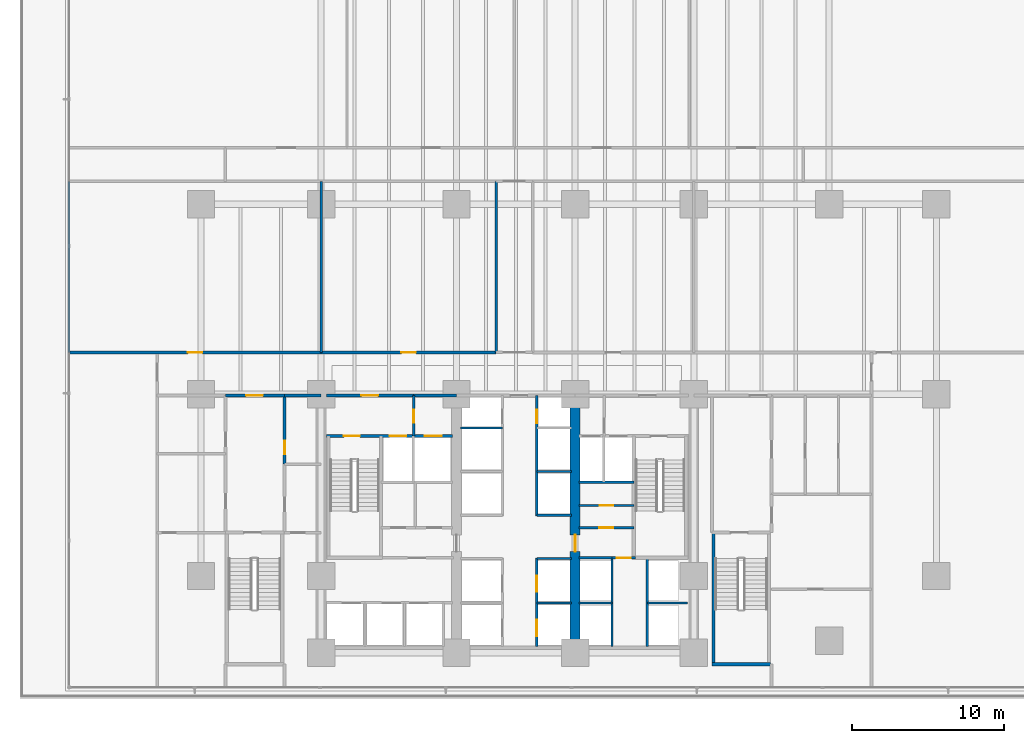
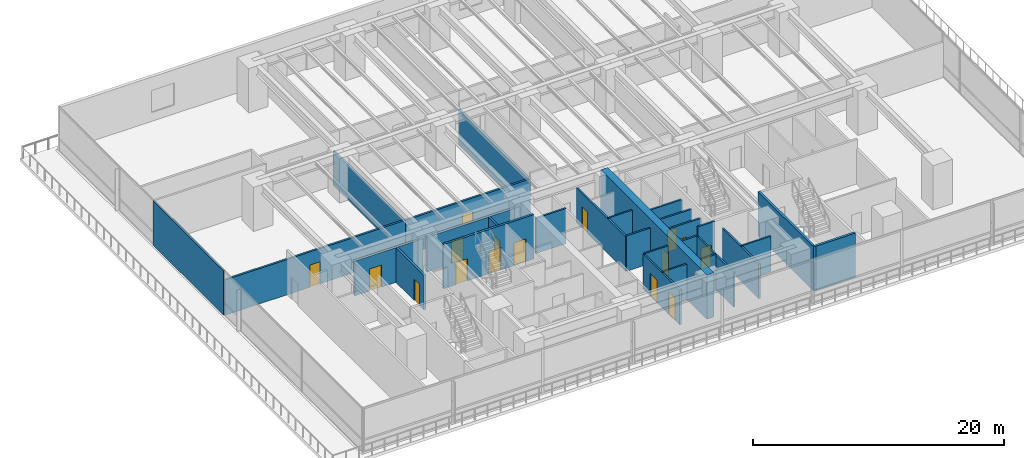
# One storey, part 10 of 24: 31 walls, 16 doors, 16 openings.
"""IFC4 building model written with IfcOpenShell, lengths in metres."""

from ifc_helpers import new_model, si_unit, direction, frame, frame_2d, origin, place, context, subcontext, project, spatial, rectangle, extrude, material, layer, layer_set, type_object, element, fill, save


model = new_model("IFC4")

# Units and contexts
model_context = context("Model", 3, precision=1e-05, world=origin(), true_north=direction((0.0, 1.0)))
body_context = subcontext(model_context, "Body", "Model", "MODEL_VIEW")
ifc_project = project(units=[si_unit("LENGTHUNIT", "METRE"), si_unit("AREAUNIT", "SQUARE_METRE"), si_unit("VOLUMEUNIT", "CUBIC_METRE"), si_unit("PLANEANGLEUNIT", "RADIAN"), si_unit("MASSUNIT", "GRAM", prefix="KILO")], contexts=[model_context])

# Site, building, storey
site_placement = place(None, origin())
site = spatial("IfcSite", under=ifc_project, at=site_placement, CompositionType="ELEMENT")
building_placement = place(site_placement, origin())
building = spatial("IfcBuilding", under=site, at=building_placement, Name="Qalmaran Belvedere Hotel", CompositionType="ELEMENT")
storey_placement = place(building_placement, frame((0.0, 0.0, 14.60009765625)))
storey = spatial("IfcBuildingStorey", under=building, at=storey_placement, Name="L03", CompositionType="ELEMENT", Elevation=14.60009765625)

# Wall, opening, door
ifc_material_1 = material(Name="Concrete C60/75", Category="concrete")
ifc_layer_1 = layer(ifc_material_1, 0.64990234375, Name="Concrete C60/75")
ifc_layer_set_1 = layer_set([ifc_layer_1], Name="Concrete C60/75")
wall_type_1 = type_object("IfcWallType", Name="WL-CORE-650-C60", PredefinedType="SHEAR", material=ifc_layer_set_1)
wall_1_placement = place(storey_placement, frame((37.0, 3.5, 0.0), z_axis=(0.0, 0.0, 1.0), x_axis=(0.0, 1.0, 0.0)))
wall_1 = element("IfcWall", 1, at=wall_1_placement, inside=storey, type_object=wall_type_1, Name="L03 Core East Spine Shear Wall", PredefinedType="SHEAR", context=body_context, shape_type="SweptSolid", body=[
    extrude(rectangle(XDim=16.89990234375, YDim=0.64990234375, at=frame_2d((8.449951171875, 0.0))), origin(), (0.0, 0.0, 1.0), 4.2998046875),
])
opening_1_placement = place(wall_1_placement, frame((6.64990234375, 0.0, 0.0)))
opening_1 = element("IfcOpeningElement", 2, at=opening_1_placement, cuts=wall_1, Name="Opening FD90", PredefinedType="OPENING", context=body_context, shape_type="SweptSolid", body=[
    extrude(rectangle(XDim=1.10009765625, YDim=2.14990234375, at=frame_2d((0.550048828125, 1.074951171875))), frame((0.0, 0.3349609375, 0.0), z_axis=(0.0, -1.0, 0.0), x_axis=(1.0, 0.0, 0.0)), (0.0, 0.0, 1.0), 0.669921875),
])
ifc_material_2 = material(Name="Steel S355JR", Category="steel")
door_type_1 = type_object("IfcDoorType", Name="DR-FD90-1100X2150", OperationType="NOTDEFINED", PredefinedType="DOOR", material=ifc_material_2)
door_1_placement = place(opening_1_placement, origin())
door_1 = element("IfcDoor", 3, at=door_1_placement, inside=storey, type_object=door_type_1, Name="L03 Core East Cross-Lobby Door", OperationType="SINGLE_SWING_LEFT", OverallHeight=2.14990234375, OverallWidth=1.10009765625, PredefinedType="DOOR", context=body_context, shape_type="SweptSolid", body=[
    extrude(rectangle(XDim=1.10009765625, YDim=2.14990234375, at=frame_2d((0.550048828125, 1.074951171875))), frame((0.0, 0.02490234375, 0.0), z_axis=(0.0, -1.0, 0.0), x_axis=(1.0, 0.0, 0.0)), (0.0, 0.0, 1.0), 0.050048828125),
])
fill(opening_1, door_1)

# Walls
ifc_material_3 = material(Name="Gypsum Stud Partition")
ifc_layer_2 = layer(ifc_material_3, 0.14990234375, Name="Gypsum Stud Partition")
ifc_layer_set_2 = layer_set([ifc_layer_2], Name="Gypsum Stud Partition")
wall_type_2 = type_object("IfcWallType", Name="WL-INT-150-EI120", PredefinedType="PARTITIONING", material=ifc_layer_set_2)
wall_2_placement = place(storey_placement, frame((37.25, 6.780029296875, 0.0), z_axis=(0.0, 0.0, 1.0), x_axis=(1.0, 0.0, 0.0)))
element("IfcWall", 4, at=wall_2_placement, inside=storey, type_object=wall_type_2, Name="L03 Partition WL-PHMW-L03", PredefinedType="PARTITIONING", context=body_context, shape_type="SweptSolid", body=[
    extrude(rectangle(XDim=2.169921875, YDim=0.14990234375, at=frame_2d((1.0849609375, 0.0))), origin(), (0.0, 0.0, 1.0), 3.429931640625),
])
wall_3_placement = place(storey_placement, frame((41.739990234375, 6.780029296875, 0.0), z_axis=(0.0, 0.0, 1.0), x_axis=(1.0, 0.0, 0.0)))
element("IfcWall", 5, at=wall_3_placement, inside=storey, type_object=wall_type_2, Name="L03 Partition WL-PHME-L03", PredefinedType="PARTITIONING", context=body_context, shape_type="SweptSolid", body=[
    extrude(rectangle(XDim=2.659912109375, YDim=0.14990234375, at=frame_2d((1.330078125, 0.0))), origin(), (0.0, 0.0, 1.0), 3.429931640625),
])
for number, where, z_axis, x_axis, name in (
    (6, (34.47998046875, 6.780029296875, 0.0), (0.0, 0.0, 1.0), (1.0, 0.0, 0.0), "L03 Partition WL-PLE-L03-67"),
    (7, (34.47998046875, 9.699951171875, 0.0), (0.0, 0.0, 1.0), (1.0, 0.0, 0.0), "L03 Partition WL-PLE-L03-97"),
    (8, (34.47998046875, 12.550048828125, 0.0), (0.0, 0.0, 1.0), (1.0, 0.0, 0.0), "L03 Partition WL-PME-L03-125"),
    (9, (34.47998046875, 15.419921875, 0.0), (0.0, 0.0, 1.0), (1.0, 0.0, 0.0), "L03 Partition WL-PME-L03-154"),
):
    element("IfcWall", number, at=place(storey_placement, frame(where, z_axis=z_axis, x_axis=x_axis)), inside=storey, type_object=wall_type_2, Name=name, PredefinedType="PARTITIONING", context=body_context, shape_type="SweptSolid", body=[
        extrude(rectangle(XDim=2.27001953125, YDim=0.14990234375, at=frame_2d((1.135009765625, 0.0))), origin(), (0.0, 0.0, 1.0), 3.429931640625),
    ])
wall_4_placement = place(storey_placement, frame((29.449951171875, 18.280029296875, 0.0), z_axis=(0.0, 0.0, 1.0), x_axis=(1.0, 0.0, 0.0)))
element("IfcWall", 10, at=wall_4_placement, inside=storey, type_object=wall_type_2, Name="L03 Partition WL-PMW-L03-182", PredefinedType="PARTITIONING", context=body_context, shape_type="SweptSolid", body=[
    extrude(rectangle(XDim=2.77001953125, YDim=0.14990234375, at=frame_2d((1.385009765625, 0.0))), origin(), (0.0, 0.0, 1.0), 3.429931640625),
])

# Wall, opening, door
ifc_layer_3 = layer(ifc_material_3, 0.14990234375, Name="Gypsum Stud Partition")
ifc_layer_set_3 = layer_set([ifc_layer_3], Name="Gypsum Stud Partition")
wall_type_3 = type_object("IfcWallType", Name="WL-INT-150-EI60", PredefinedType="PARTITIONING", material=ifc_layer_set_3)
wall_5_placement = place(storey_placement, frame((37.25, 13.18505859375, 0.0), z_axis=(0.0, 0.0, 1.0), x_axis=(1.0, 0.0, 0.0)))
wall_5 = element("IfcWall", 11, at=wall_5_placement, inside=storey, type_object=wall_type_3, Name="L03 Partition WL-L03-KEHM", PredefinedType="PARTITIONING", context=body_context, shape_type="SweptSolid", body=[
    extrude(rectangle(XDim=3.610107421875, YDim=0.14990234375, at=frame_2d((1.80517578125, 0.0))), origin(), (0.0, 0.0, 1.0), 3.429931640625),
])
opening_2_placement = place(wall_5_placement, frame((1.364990234375, 0.0, 0.0)))
opening_2 = element("IfcOpeningElement", 12, at=opening_2_placement, cuts=wall_5, Name="Opening FD60B", PredefinedType="OPENING", context=body_context, shape_type="SweptSolid", body=[
    extrude(rectangle(XDim=0.8798828125, YDim=2.080078125, at=frame_2d((0.43994140625, 1.0400390625))), frame((0.0, 0.0849609375, 0.0), z_axis=(0.0, -1.0, 0.0), x_axis=(1.0, 0.0, 0.0)), (0.0, 0.0, 1.0), 0.169921875),
])
door_type_2 = type_object("IfcDoorType", Name="DR-FD60B-880X2080", OperationType="NOTDEFINED", PredefinedType="DOOR", material=ifc_material_2)
door_2_placement = place(opening_2_placement, origin())
door_2 = element("IfcDoor", 13, at=door_2_placement, inside=storey, type_object=door_type_2, Name="L03 Hotel Linen Closet Door", OperationType="SINGLE_SWING_RIGHT", OverallHeight=2.080078125, OverallWidth=0.8798828125, PredefinedType="DOOR", context=body_context, shape_type="SweptSolid", body=[
    extrude(rectangle(XDim=0.8798828125, YDim=2.080078125, at=frame_2d((0.43994140625, 1.0400390625))), frame((0.0, 0.02490234375, 0.0), z_axis=(0.0, -1.0, 0.0), x_axis=(1.0, 0.0, 0.0)), (0.0, 0.0, 1.0), 0.050048828125),
])
fill(opening_2, door_2)

ifc_layer_4 = layer(ifc_material_3, 0.159912109375, Name="Gypsum Stud Partition")
ifc_layer_set_4 = layer_set([ifc_layer_4], Name="Gypsum Stud Partition")
wall_type_4 = type_object("IfcWallType", Name="WL-INT-160-EI120", PredefinedType="PARTITIONING", material=ifc_layer_set_4)
wall_6_placement = place(storey_placement, frame((26.3798828125, 17.760009765625, 0.0), z_axis=(0.0, 0.0, 1.0), x_axis=(0.0, 1.0, 0.0)))
wall_6 = element("IfcWall", 14, at=wall_6_placement, inside=storey, type_object=wall_type_4, Name="L03 Partition WL-FFSV1-L03", PredefinedType="PARTITIONING", context=body_context, shape_type="SweptSolid", body=[
    extrude(rectangle(XDim=2.659912109375, YDim=0.159912109375, at=frame_2d((1.330078125, 0.0))), origin(), (0.0, 0.0, 1.0), 3.372802734375),
])
opening_3_placement = place(wall_6_placement, frame((0.85009765625, 0.0, 0.0)))
opening_3 = element("IfcOpeningElement", 15, at=opening_3_placement, cuts=wall_6, Name="Opening FD60B", PredefinedType="OPENING", context=body_context, shape_type="SweptSolid", body=[
    extrude(rectangle(XDim=0.8798828125, YDim=2.080078125, at=frame_2d((0.43994140625, 1.0400390625))), frame((0.0, 0.08984375, 0.0), z_axis=(0.0, -1.0, 0.0), x_axis=(1.0, 0.0, 0.0)), (0.0, 0.0, 1.0), 0.179931640625),
])
door_3_placement = place(opening_3_placement, origin())
door_3 = element("IfcDoor", 16, at=door_3_placement, inside=storey, type_object=door_type_2, Name="L03 Service Lobby West Door", OperationType="SINGLE_SWING_RIGHT", OverallHeight=2.080078125, OverallWidth=0.8798828125, PredefinedType="DOOR", context=body_context, shape_type="SweptSolid", body=[
    extrude(rectangle(XDim=0.8798828125, YDim=2.080078125, at=frame_2d((0.43994140625, 1.0400390625))), frame((0.0, 0.02490234375, 0.0), z_axis=(0.0, -1.0, 0.0), x_axis=(1.0, 0.0, 0.0)), (0.0, 0.0, 1.0), 0.050048828125),
])
fill(opening_3, door_3)

# Walls
wall_7_placement = place(storey_placement, frame((37.25, 14.719970703125, 0.0), z_axis=(0.0, 0.0, 1.0), x_axis=(1.0, 0.0, 0.0)))
element("IfcWall", 17, at=wall_7_placement, inside=storey, type_object=wall_type_4, Name="L03 Partition WL-FF2S-L03", PredefinedType="PARTITIONING", context=body_context, shape_type="SweptSolid", body=[
    extrude(rectangle(XDim=3.610107421875, YDim=0.159912109375, at=frame_2d((1.80517578125, 0.0))), origin(), (0.0, 0.0, 1.0), 3.429931640625),
])
for number, where, z_axis, x_axis, name in (
    (18, (39.419921875, 3.89990234375, 0.0), (0.0, 0.0, 1.0), (0.0, 1.0, 0.0), "L03 Partition WL-PHW-L03"),
    (19, (41.739990234375, 3.89990234375, 0.0), (0.0, 0.0, 1.0), (0.0, 1.0, 0.0), "L03 Partition WL-PHE-L03"),
):
    element("IfcWall", number, at=place(storey_placement, frame(where, z_axis=z_axis, x_axis=x_axis)), inside=storey, type_object=wall_type_4, Name=name, PredefinedType="PARTITIONING", context=body_context, shape_type="SweptSolid", body=[
        extrude(rectangle(XDim=5.840087890625, YDim=0.159912109375, at=frame_2d((2.919921875, 0.0))), origin(), (0.0, 0.0, 1.0), 3.372802734375),
    ])
wall_8_placement = place(storey_placement, frame((37.25, 9.739990234375, 0.0), z_axis=(0.0, 0.0, 1.0), x_axis=(1.0, 0.0, 0.0)))
element("IfcWall", 20, at=wall_8_placement, inside=storey, type_object=wall_type_4, Name="L03 Partition WL-PHNW-L03", PredefinedType="PARTITIONING", context=body_context, shape_type="SweptSolid", body=[
    extrude(rectangle(XDim=2.169921875, YDim=0.159912109375, at=frame_2d((1.0849609375, 0.0))), origin(), (0.0, 0.0, 1.0), 3.429931640625),
])

# Wall, opening, door
wall_9_placement = place(storey_placement, frame((39.419921875, 9.739990234375, 0.0), z_axis=(0.0, 0.0, 1.0), x_axis=(1.0, 0.0, 0.0)))
wall_9 = element("IfcWall", 21, at=wall_9_placement, inside=storey, type_object=wall_type_4, Name="L03 Partition WL-PHNL-L03", PredefinedType="PARTITIONING", context=body_context, shape_type="SweptSolid", body=[
    extrude(rectangle(XDim=1.56005859375, YDim=0.159912109375, at=frame_2d((0.780029296875, 0.0))), origin(), (0.0, 0.0, 1.0), 4.2998046875),
])
opening_4_placement = place(wall_9_placement, frame((0.300048828125, 0.0, 0.0)))
opening_4 = element("IfcOpeningElement", 22, at=opening_4_placement, cuts=wall_9, Name="Opening FD60S1", PredefinedType="OPENING", context=body_context, shape_type="SweptSolid", body=[
    extrude(rectangle(XDim=0.919921875, YDim=2.080078125, at=frame_2d((0.4599609375, 1.0400390625))), frame((0.0, 0.08984375, 0.0), z_axis=(0.0, -1.0, 0.0), x_axis=(1.0, 0.0, 0.0)), (0.0, 0.0, 1.0), 0.179931640625),
])
ifc_material_4 = material(Name="Engineered Oak Veneer")
door_type_3 = type_object("IfcDoorType", Name="DR-FD60S-920X2080", OperationType="NOTDEFINED", PredefinedType="DOOR", material=ifc_material_4)
door_4_placement = place(opening_4_placement, origin())
door_4 = element("IfcDoor", 23, at=door_4_placement, inside=storey, type_object=door_type_3, Name="L03 High-Rise Lift Lobby Passage Door", OperationType="SINGLE_SWING_RIGHT", OverallHeight=2.080078125, OverallWidth=0.919921875, PredefinedType="DOOR", context=body_context, shape_type="SweptSolid", body=[
    extrude(rectangle(XDim=0.919921875, YDim=2.080078125, at=frame_2d((0.4599609375, 1.0400390625))), frame((0.0, 0.02490234375, 0.0), z_axis=(0.0, -1.0, 0.0), x_axis=(1.0, 0.0, 0.0)), (0.0, 0.0, 1.0), 0.050048828125),
])
fill(opening_4, door_4)

# Wall, openings, doors
wall_10_placement = place(storey_placement, frame((34.47998046875, 3.89990234375, 0.0), z_axis=(0.0, 0.0, 1.0), x_axis=(0.0, 1.0, 0.0)))
wall_10 = element("IfcWall", 24, at=wall_10_placement, inside=storey, type_object=wall_type_4, Name="L03 Partition WL-CLBES-L03", PredefinedType="PARTITIONING", context=body_context, shape_type="SweptSolid", body=[
    extrude(rectangle(XDim=5.840087890625, YDim=0.159912109375, at=frame_2d((2.919921875, 0.0))), origin(), (0.0, 0.0, 1.0), 3.372802734375),
])
opening_5_placement = place(wall_10_placement, frame((0.699951171875, 0.0, 0.0)))
opening_5 = element("IfcOpeningElement", 25, at=opening_5_placement, cuts=wall_10, Name="Opening LD-P1", PredefinedType="OPENING", context=body_context, shape_type="SweptSolid", body=[
    extrude(rectangle(XDim=1.080078125, YDim=2.159912109375, at=frame_2d((0.5400390625, 1.080078125))), frame((0.0, 0.08984375, 0.0), z_axis=(0.0, -1.0, 0.0), x_axis=(1.0, 0.0, 0.0)), (0.0, 0.0, 1.0), 0.179931640625),
])
opening_6_placement = place(wall_10_placement, frame((3.60009765625, 0.0, 0.0)))
opening_6 = element("IfcOpeningElement", 26, at=opening_6_placement, cuts=wall_10, Name="Opening LD-P1", PredefinedType="OPENING", context=body_context, shape_type="SweptSolid", body=[
    extrude(rectangle(XDim=1.080078125, YDim=2.159912109375, at=frame_2d((0.5400390625, 1.080078125))), frame((0.0, 0.08984375, 0.0), z_axis=(0.0, -1.0, 0.0), x_axis=(1.0, 0.0, 0.0)), (0.0, 0.0, 1.0), 0.179931640625),
])
ifc_material_5 = material(Name="Stainless Steel 1.4401", Category="steel")
door_type_4 = type_object("IfcDoorType", Name="DR-LIFT-P1-1080X2160", OperationType="DOUBLE_DOOR_SLIDING", PredefinedType="DOOR", material=ifc_material_5)
door_5_placement = place(opening_5_placement, origin())
door_5 = element("IfcDoor", 27, at=door_5_placement, inside=storey, type_object=door_type_4, Name="L03 PL3 Lift Landing Door", OperationType="DOUBLE_DOOR_SLIDING", OverallHeight=2.159912109375, OverallWidth=1.080078125, PredefinedType="DOOR", context=body_context, shape_type="SweptSolid", body=[
    extrude(rectangle(XDim=1.080078125, YDim=2.159912109375, at=frame_2d((0.5400390625, 1.080078125))), frame((0.0, 0.02490234375, 0.0), z_axis=(0.0, -1.0, 0.0), x_axis=(1.0, 0.0, 0.0)), (0.0, 0.0, 1.0), 0.050048828125),
])
fill(opening_5, door_5)
door_6_placement = place(opening_6_placement, origin())
door_6 = element("IfcDoor", 28, at=door_6_placement, inside=storey, type_object=door_type_4, Name="L03 PL4 Lift Landing Door", OperationType="DOUBLE_DOOR_SLIDING", OverallHeight=2.159912109375, OverallWidth=1.080078125, PredefinedType="DOOR", context=body_context, shape_type="SweptSolid", body=[
    extrude(rectangle(XDim=1.080078125, YDim=2.159912109375, at=frame_2d((0.5400390625, 1.080078125))), frame((0.0, 0.02490234375, 0.0), z_axis=(0.0, -1.0, 0.0), x_axis=(1.0, 0.0, 0.0)), (0.0, 0.0, 1.0), 0.050048828125),
])
fill(opening_6, door_6)

# Wall, opening, door
wall_11_placement = place(storey_placement, frame((34.47998046875, 12.5, 0.0), z_axis=(0.0, 0.0, 1.0), x_axis=(0.0, 1.0, 0.0)))
wall_11 = element("IfcWall", 29, at=wall_11_placement, inside=storey, type_object=wall_type_4, Name="L03 Partition WL-CLBEN-L03", PredefinedType="PARTITIONING", context=body_context, shape_type="SweptSolid", body=[
    extrude(rectangle(XDim=7.919921875, YDim=0.159912109375, at=frame_2d((3.9599609375, 0.0))), origin(), (0.0, 0.0, 1.0), 3.372802734375),
])
opening_7_placement = place(wall_11_placement, frame((6.97998046875, 0.0, 0.0), z_axis=(0.0, 0.0, 1.0), x_axis=(-1.0, 0.0, 0.0)))
opening_7 = element("IfcOpeningElement", 30, at=opening_7_placement, cuts=wall_11, Name="Opening FD60B", PredefinedType="OPENING", context=body_context, shape_type="SweptSolid", body=[
    extrude(rectangle(XDim=0.8798828125, YDim=2.080078125, at=frame_2d((0.43994140625, 1.0400390625))), frame((0.0, 0.08984375, 0.0), z_axis=(0.0, -1.0, 0.0), x_axis=(1.0, 0.0, 0.0)), (0.0, 0.0, 1.0), 0.179931640625),
])
door_7_placement = place(opening_7_placement, origin())
door_7 = element("IfcDoor", 31, at=door_7_placement, inside=storey, type_object=door_type_2, Name="L03 East Riser Access Door", OperationType="SINGLE_SWING_RIGHT", OverallHeight=2.080078125, OverallWidth=0.8798828125, PredefinedType="DOOR", context=body_context, shape_type="SweptSolid", body=[
    extrude(rectangle(XDim=0.8798828125, YDim=2.080078125, at=frame_2d((0.43994140625, 1.0400390625))), frame((0.0, 0.02490234375, 0.0), z_axis=(0.0, -1.0, 0.0), x_axis=(1.0, 0.0, 0.0)), (0.0, 0.0, 1.0), 0.050048828125),
])
fill(opening_7, door_7)

ifc_layer_5 = layer(ifc_material_3, 0.159912109375, Name="Gypsum Stud Partition")
ifc_layer_set_5 = layer_set([ifc_layer_5], Name="Gypsum Stud Partition")
wall_type_5 = type_object("IfcWallType", Name="WL-INT-160-EI60", PredefinedType="PARTITIONING", material=ifc_layer_set_5)
wall_12_placement = place(storey_placement, frame((37.25, 11.719970703125, 0.0), z_axis=(0.0, 0.0, 1.0), x_axis=(1.0, 0.0, 0.0)))
wall_12 = element("IfcWall", 32, at=wall_12_placement, inside=storey, type_object=wall_type_5, Name="L03 Partition WL-L03-KEE1", PredefinedType="PARTITIONING", context=body_context, shape_type="SweptSolid", body=[
    extrude(rectangle(XDim=3.610107421875, YDim=0.159912109375, at=frame_2d((1.80517578125, 0.0))), origin(), (0.0, 0.0, 1.0), 3.429931640625),
])
opening_8_placement = place(wall_12_placement, frame((1.344970703125, 0.0, 0.0)))
opening_8 = element("IfcOpeningElement", 33, at=opening_8_placement, cuts=wall_12, Name="Opening FD60S1", PredefinedType="OPENING", context=body_context, shape_type="SweptSolid", body=[
    extrude(rectangle(XDim=0.919921875, YDim=2.080078125, at=frame_2d((0.4599609375, 1.0400390625))), frame((0.0, 0.08984375, 0.0), z_axis=(0.0, -1.0, 0.0), x_axis=(1.0, 0.0, 0.0)), (0.0, 0.0, 1.0), 0.179931640625),
])
door_8_placement = place(opening_8_placement, origin())
door_8 = element("IfcDoor", 34, at=door_8_placement, inside=storey, type_object=door_type_3, Name="L03 Low Voltage Switch Room Door", OperationType="SINGLE_SWING_LEFT", OverallHeight=2.080078125, OverallWidth=0.919921875, PredefinedType="DOOR", context=body_context, shape_type="SweptSolid", body=[
    extrude(rectangle(XDim=0.919921875, YDim=2.080078125, at=frame_2d((0.4599609375, 1.0400390625))), frame((0.0, 0.02490234375, 0.0), z_axis=(0.0, -1.0, 0.0), x_axis=(1.0, 0.0, 0.0)), (0.0, 0.0, 1.0), 0.050048828125),
])
fill(opening_8, door_8)

# Walls
wall_13_placement = place(storey_placement, frame((3.719970703125, 23.25, 0.0), z_axis=(0.0, 0.0, 1.0), x_axis=(0.0, 1.0, 0.0)))
element("IfcWall", 35, at=wall_13_placement, inside=storey, type_object=wall_type_5, Name="L03 Partition WL-L03-PMWVL", PredefinedType="PARTITIONING", context=body_context, shape_type="SweptSolid", body=[
    extrude(rectangle(XDim=11.25, YDim=0.159912109375, at=frame_2d((5.625, 0.0))), origin(), (0.0, 0.0, 1.0), 4.2998046875),
])
for number, where, z_axis, x_axis, name in (
    (36, (20.300048828125, 23.25, 0.0), (0.0, 0.0, 1.0), (0.0, 1.0, 0.0), "L03 Partition WL-L03-PMWVR1"),
    (37, (31.800048828125, 23.25, 0.0), (0.0, 0.0, 1.0), (0.0, 1.0, 0.0), "L03 Partition WL-L03-PMWVR2"),
):
    element("IfcWall", number, at=place(storey_placement, frame(where, z_axis=z_axis, x_axis=x_axis)), inside=storey, type_object=wall_type_5, Name=name, PredefinedType="PARTITIONING", context=body_context, shape_type="SweptSolid", body=[
        extrude(rectangle(XDim=11.25, YDim=0.159912109375, at=frame_2d((5.625, 0.0))), origin(), (0.0, 0.0, 1.0), 3.372802734375),
    ])
ifc_layer_6 = layer(ifc_material_3, 0.179931640625, Name="Gypsum Stud Partition")
ifc_layer_set_6 = layer_set([ifc_layer_6], Name="Gypsum Stud Partition")
wall_type_6 = type_object("IfcWallType", Name="WL-INT-180-EI60", PredefinedType="PARTITIONING", material=ifc_layer_set_6)
wall_14_placement = place(storey_placement, frame((17.89990234375, 20.419921875, 0.0), z_axis=(0.0, 0.0, 1.0), x_axis=(1.0, 0.0, 0.0)))
element("IfcWall", 38, at=wall_14_placement, inside=storey, type_object=wall_type_6, Name="L03 Partition WL-L03-SFGN", PredefinedType="PARTITIONING", context=body_context, shape_type="SweptSolid", body=[
    extrude(rectangle(XDim=2.400146484375, YDim=0.179931640625, at=frame_2d((1.2001953125, 0.0))), origin(), (0.0, 0.0, 1.0), 3.372802734375),
])

# Wall, opening, door
wall_15_placement = place(storey_placement, frame((3.719970703125, 23.25, 0.0), z_axis=(0.0, 0.0, 1.0), x_axis=(1.0, 0.0, 0.0)))
wall_15 = element("IfcWall", 39, at=wall_15_placement, inside=storey, type_object=wall_type_6, Name="L03 Partition WL-L03-PMWD1", PredefinedType="PARTITIONING", context=body_context, shape_type="SweptSolid", body=[
    extrude(rectangle(XDim=16.580078125, YDim=0.179931640625, at=frame_2d((8.2900390625, 0.0))), origin(), (0.0, 0.0, 1.0), 3.429931640625),
])
opening_9_placement = place(wall_15_placement, frame((7.81494140625, 0.0, 0.0)))
opening_9 = element("IfcOpeningElement", 40, at=opening_9_placement, cuts=wall_15, Name="Opening FD60", PredefinedType="OPENING", context=body_context, shape_type="SweptSolid", body=[
    extrude(rectangle(XDim=0.949951171875, YDim=2.14990234375, at=frame_2d((0.47509765625, 1.074951171875))), frame((0.0, 0.10009765625, 0.0), z_axis=(0.0, -1.0, 0.0), x_axis=(1.0, 0.0, 0.0)), (0.0, 0.0, 1.0), 0.199951171875),
])
door_type_5 = type_object("IfcDoorType", Name="DR-FD60-950X2150", OperationType="NOTDEFINED", PredefinedType="DOOR", material=ifc_material_4)
door_9_placement = place(opening_9_placement, origin())
door_9 = element("IfcDoor", 41, at=door_9_placement, inside=storey, type_object=door_type_5, Name="L03 Breakout Meeting Hall 1 Door", OperationType="SINGLE_SWING_RIGHT", OverallHeight=2.14990234375, OverallWidth=0.949951171875, PredefinedType="DOOR", context=body_context, shape_type="SweptSolid", body=[
    extrude(rectangle(XDim=0.949951171875, YDim=2.14990234375, at=frame_2d((0.47509765625, 1.074951171875))), frame((0.0, 0.02490234375, 0.0), z_axis=(0.0, -1.0, 0.0), x_axis=(1.0, 0.0, 0.0)), (0.0, 0.0, 1.0), 0.050048828125),
])
fill(opening_9, door_9)

wall_16_placement = place(storey_placement, frame((20.300048828125, 23.25, 0.0), z_axis=(0.0, 0.0, 1.0), x_axis=(1.0, 0.0, 0.0)))
wall_16 = element("IfcWall", 42, at=wall_16_placement, inside=storey, type_object=wall_type_6, Name="L03 Partition WL-L03-PMWD2", PredefinedType="PARTITIONING", context=body_context, shape_type="SweptSolid", body=[
    extrude(rectangle(XDim=11.5, YDim=0.179931640625, at=frame_2d((5.75, 0.0))), origin(), (0.0, 0.0, 1.0), 3.429931640625),
])
opening_10_placement = place(wall_16_placement, frame((5.27490234375, 0.0, 0.0)))
opening_10 = element("IfcOpeningElement", 43, at=opening_10_placement, cuts=wall_16, Name="Opening FD60", PredefinedType="OPENING", context=body_context, shape_type="SweptSolid", body=[
    extrude(rectangle(XDim=0.949951171875, YDim=2.14990234375, at=frame_2d((0.47509765625, 1.074951171875))), frame((0.0, 0.10009765625, 0.0), z_axis=(0.0, -1.0, 0.0), x_axis=(1.0, 0.0, 0.0)), (0.0, 0.0, 1.0), 0.199951171875),
])
door_10_placement = place(opening_10_placement, origin())
door_10 = element("IfcDoor", 44, at=door_10_placement, inside=storey, type_object=door_type_5, Name="L03 Diplomatic Pre-Function Hall Door", OperationType="SINGLE_SWING_LEFT", OverallHeight=2.14990234375, OverallWidth=0.949951171875, PredefinedType="DOOR", context=body_context, shape_type="SweptSolid", body=[
    extrude(rectangle(XDim=0.949951171875, YDim=2.14990234375, at=frame_2d((0.47509765625, 1.074951171875))), frame((0.0, 0.02490234375, 0.0), z_axis=(0.0, -1.0, 0.0), x_axis=(1.0, 0.0, 0.0)), (0.0, 0.0, 1.0), 0.050048828125),
])
fill(opening_10, door_10)

ifc_material_6 = material(Name="Concrete C30/37 Blockwork", Category="masonry")
ifc_layer_7 = layer(ifc_material_6, 0.199951171875, Name="Concrete C30/37 Blockwork")
ifc_layer_set_7 = layer_set([ifc_layer_7], Name="Concrete C30/37 Blockwork")
wall_type_7 = type_object("IfcWallType", Name="WL-INT-200-EI120", PredefinedType="PARTITIONING", material=ifc_layer_set_7)
wall_17_placement = place(storey_placement, frame((20.64990234375, 20.419921875, 0.0), z_axis=(0.0, 0.0, 1.0), x_axis=(1.0, 0.0, 0.0)))
wall_17 = element("IfcWall", 45, at=wall_17_placement, inside=storey, type_object=wall_type_7, Name="L03 Partition WL-CN1A-L03", PredefinedType="PARTITIONING", context=body_context, shape_type="SweptSolid", body=[
    extrude(rectangle(XDim=5.72998046875, YDim=0.199951171875, at=frame_2d((2.864990234375, 0.0))), origin(), (0.0, 0.0, 1.0), 3.372802734375),
])
opening_11_placement = place(wall_17_placement, frame((2.300048828125, 0.0, 0.0)))
opening_11 = element("IfcOpeningElement", 46, at=opening_11_placement, cuts=wall_17, Name="Opening FD90", PredefinedType="OPENING", context=body_context, shape_type="SweptSolid", body=[
    extrude(rectangle(XDim=1.10009765625, YDim=2.14990234375, at=frame_2d((0.550048828125, 1.074951171875))), frame((0.0, 0.10986328125, 0.0), z_axis=(0.0, -1.0, 0.0), x_axis=(1.0, 0.0, 0.0)), (0.0, 0.0, 1.0), 0.219970703125),
])
door_11_placement = place(opening_11_placement, origin())
door_11 = element("IfcDoor", 47, at=door_11_placement, inside=storey, type_object=door_type_1, Name="L03 FF1 Lobby Corridor Door", OperationType="SINGLE_SWING_RIGHT", OverallHeight=2.14990234375, OverallWidth=1.10009765625, PredefinedType="DOOR", context=body_context, shape_type="SweptSolid", body=[
    extrude(rectangle(XDim=1.10009765625, YDim=2.14990234375, at=frame_2d((0.550048828125, 1.074951171875))), frame((0.0, 0.02490234375, 0.0), z_axis=(0.0, -1.0, 0.0), x_axis=(1.0, 0.0, 0.0)), (0.0, 0.0, 1.0), 0.050048828125),
])
fill(opening_11, door_11)

# Wall
wall_18_placement = place(storey_placement, frame((26.3798828125, 20.419921875, 0.0), z_axis=(0.0, 0.0, 1.0), x_axis=(1.0, 0.0, 0.0)))
element("IfcWall", 48, at=wall_18_placement, inside=storey, type_object=wall_type_7, Name="L03 Partition WL-CN1B-L03", PredefinedType="PARTITIONING", context=body_context, shape_type="SweptSolid", body=[
    extrude(rectangle(XDim=2.820068359375, YDim=0.199951171875, at=frame_2d((1.41015625, 0.0))), origin(), (0.0, 0.0, 1.0), 3.372802734375),
])

# Wall, opening, door
wall_19_placement = place(storey_placement, frame((17.89990234375, 15.89990234375, 0.0), z_axis=(0.0, 0.0, 1.0), x_axis=(0.0, 1.0, 0.0)))
wall_19 = element("IfcWall", 49, at=wall_19_placement, inside=storey, type_object=wall_type_7, Name="L03 Partition WL-L03-STPW2B", PredefinedType="PARTITIONING", context=body_context, shape_type="SweptSolid", body=[
    extrude(rectangle(XDim=4.52001953125, YDim=0.199951171875, at=frame_2d((2.260009765625, 0.0))), origin(), (0.0, 0.0, 1.0), 3.372802734375),
])
opening_12_placement = place(wall_19_placement, frame((1.52978515625, 0.0, 0.0), z_axis=(0.0, 0.0, 1.0), x_axis=(-1.0, 0.0, 0.0)))
opening_12 = element("IfcOpeningElement", 50, at=opening_12_placement, cuts=wall_19, Name="Opening FD60B", PredefinedType="OPENING", context=body_context, shape_type="SweptSolid", body=[
    extrude(rectangle(XDim=0.8798828125, YDim=2.080078125, at=frame_2d((0.43994140625, 1.0400390625))), frame((0.0, 0.10986328125, 0.0), z_axis=(0.0, -1.0, 0.0), x_axis=(1.0, 0.0, 0.0)), (0.0, 0.0, 1.0), 0.219970703125),
])
door_12_placement = place(opening_12_placement, origin())
door_12 = element("IfcDoor", 51, at=door_12_placement, inside=storey, type_object=door_type_2, Name="L03 Female WC Door", OperationType="SINGLE_SWING_LEFT", OverallHeight=2.080078125, OverallWidth=0.8798828125, PredefinedType="DOOR", context=body_context, shape_type="SweptSolid", body=[
    extrude(rectangle(XDim=0.8798828125, YDim=2.080078125, at=frame_2d((0.43994140625, 1.0400390625))), frame((0.0, 0.02490234375, 0.0), z_axis=(0.0, -1.0, 0.0), x_axis=(1.0, 0.0, 0.0)), (0.0, 0.0, 1.0), 0.050048828125),
])
fill(opening_12, door_12)

wall_20_placement = place(storey_placement, frame((14.02001953125, 20.419921875, 0.0), z_axis=(0.0, 0.0, 1.0), x_axis=(1.0, 0.0, 0.0)))
wall_20 = element("IfcWall", 52, at=wall_20_placement, inside=storey, type_object=wall_type_7, Name="L03 Partition WL-L03-CSW2", PredefinedType="PARTITIONING", context=body_context, shape_type="SweptSolid", body=[
    extrude(rectangle(XDim=3.8798828125, YDim=0.199951171875, at=frame_2d((1.93994140625, 0.0))), origin(), (0.0, 0.0, 1.0), 3.372802734375),
])
opening_13_placement = place(wall_20_placement, frame((2.4501953125, 0.0, 0.0), z_axis=(0.0, 0.0, 1.0), x_axis=(-1.0, 0.0, 0.0)))
opening_13 = element("IfcOpeningElement", 53, at=opening_13_placement, cuts=wall_20, Name="Opening FD90", PredefinedType="OPENING", context=body_context, shape_type="SweptSolid", body=[
    extrude(rectangle(XDim=1.10009765625, YDim=2.14990234375, at=frame_2d((0.550048828125, 1.074951171875))), frame((0.0, 0.10986328125, 0.0), z_axis=(0.0, -1.0, 0.0), x_axis=(1.0, 0.0, 0.0)), (0.0, 0.0, 1.0), 0.219970703125),
])
door_13_placement = place(opening_13_placement, origin())
door_13 = element("IfcDoor", 54, at=door_13_placement, inside=storey, type_object=door_type_1, Name="L03 West Stair Corridor Door", OperationType="SINGLE_SWING_LEFT", OverallHeight=2.14990234375, OverallWidth=1.10009765625, PredefinedType="DOOR", context=body_context, shape_type="SweptSolid", body=[
    extrude(rectangle(XDim=1.10009765625, YDim=2.14990234375, at=frame_2d((0.550048828125, 1.074951171875))), frame((0.0, 0.02490234375, 0.0), z_axis=(0.0, -1.0, 0.0), x_axis=(1.0, 0.0, 0.0)), (0.0, 0.0, 1.0), 0.050048828125),
])
fill(opening_13, door_13)

# Wall, openings, doors
ifc_material_7 = material(Name="Concrete C50/60", Category="concrete")
ifc_layer_8 = layer(ifc_material_7, 0.2099609375, Name="Concrete C50/60")
ifc_layer_set_8 = layer_set([ifc_layer_8], Name="Concrete C50/60")
wall_type_8 = type_object("IfcWallType", Name="WL-STAIR-210-C50", PredefinedType="SHEAR", material=ifc_layer_set_8)
wall_21_placement = place(storey_placement, frame((20.64990234375, 17.7548828125, 0.0), z_axis=(0.0, 0.0, 1.0), x_axis=(1.0, 0.0, 0.0)))
wall_21 = element("IfcWall", 55, at=wall_21_placement, inside=storey, type_object=wall_type_8, Name="L03 West Lobby and Stair ST-1 North Bearing Wall", PredefinedType="SHEAR", context=body_context, shape_type="SweptSolid", body=[
    extrude(rectangle(XDim=8.300048828125, YDim=0.2099609375, at=frame_2d((4.14990234375, 0.0))), origin(), (0.0, 0.0, 1.0), 4.2998046875),
])
opening_14_placement = place(wall_21_placement, frame((2.199951171875, 0.0, 0.0), z_axis=(0.0, 0.0, 1.0), x_axis=(-1.0, 0.0, 0.0)))
opening_14 = element("IfcOpeningElement", 56, at=opening_14_placement, cuts=wall_21, Name="Opening FD90S2", PredefinedType="OPENING", context=body_context, shape_type="SweptSolid", body=[
    extrude(rectangle(XDim=1.050048828125, YDim=2.14990234375, at=frame_2d((0.52490234375, 1.074951171875))), frame((0.0, 0.114990234375, 0.0), z_axis=(0.0, -1.0, 0.0), x_axis=(1.0, 0.0, 0.0)), (0.0, 0.0, 1.0), 0.22998046875),
])
opening_15_placement = place(wall_21_placement, frame((4.14990234375, 0.0, 0.0)))
opening_15 = element("IfcOpeningElement", 57, at=opening_15_placement, cuts=wall_21, Name="Opening LD-FF", PredefinedType="OPENING", context=body_context, shape_type="SweptSolid", body=[
    extrude(rectangle(XDim=1.10009765625, YDim=2.179931640625, at=frame_2d((0.550048828125, 1.08984375))), frame((0.0, 0.114990234375, 0.0), z_axis=(0.0, -1.0, 0.0), x_axis=(1.0, 0.0, 0.0)), (0.0, 0.0, 1.0), 0.22998046875),
])
opening_16_placement = place(wall_21_placement, frame((6.449951171875, 0.0, 0.0)))
opening_16 = element("IfcOpeningElement", 58, at=opening_16_placement, cuts=wall_21, Name="Opening LD-SV", PredefinedType="OPENING", context=body_context, shape_type="SweptSolid", body=[
    extrude(rectangle(XDim=1.1201171875, YDim=2.199951171875, at=frame_2d((0.56005859375, 1.10009765625))), frame((0.0, 0.114990234375, 0.0), z_axis=(0.0, -1.0, 0.0), x_axis=(1.0, 0.0, 0.0)), (0.0, 0.0, 1.0), 0.22998046875),
])
door_type_6 = type_object("IfcDoorType", Name="DR-FD90S-1050X2150", OperationType="NOTDEFINED", PredefinedType="DOOR", material=ifc_material_2)
door_14_placement = place(opening_14_placement, origin())
door_14 = element("IfcDoor", 59, at=door_14_placement, inside=storey, type_object=door_type_6, Name="L03 Stair ST-1 Door", OperationType="SINGLE_SWING_RIGHT", OverallHeight=2.14990234375, OverallWidth=1.050048828125, PredefinedType="DOOR", context=body_context, shape_type="SweptSolid", body=[
    extrude(rectangle(XDim=1.050048828125, YDim=2.14990234375, at=frame_2d((0.52490234375, 1.074951171875))), frame((0.0, 0.02490234375, 0.0), z_axis=(0.0, -1.0, 0.0), x_axis=(1.0, 0.0, 0.0)), (0.0, 0.0, 1.0), 0.050048828125),
])
fill(opening_14, door_14)
door_type_7 = type_object("IfcDoorType", Name="DR-LIFT-FF-1100X2180", OperationType="DOUBLE_DOOR_SLIDING", PredefinedType="DOOR", material=ifc_material_5)
door_15_placement = place(opening_15_placement, origin())
door_15 = element("IfcDoor", 60, at=door_15_placement, inside=storey, type_object=door_type_7, Name="L03 FF1 Lift Landing Door", OperationType="DOUBLE_DOOR_SLIDING", OverallHeight=2.179931640625, OverallWidth=1.10009765625, PredefinedType="DOOR", context=body_context, shape_type="SweptSolid", body=[
    extrude(rectangle(XDim=1.10009765625, YDim=2.179931640625, at=frame_2d((0.550048828125, 1.08984375))), frame((0.0, 0.02490234375, 0.0), z_axis=(0.0, -1.0, 0.0), x_axis=(1.0, 0.0, 0.0)), (0.0, 0.0, 1.0), 0.050048828125),
])
fill(opening_15, door_15)
door_type_8 = type_object("IfcDoorType", Name="DR-LIFT-SV-1120X2200", OperationType="DOUBLE_DOOR_SLIDING", PredefinedType="DOOR", material=ifc_material_5)
door_16_placement = place(opening_16_placement, origin())
door_16 = element("IfcDoor", 61, at=door_16_placement, inside=storey, type_object=door_type_8, Name="L03 SV1 Lift Landing Door", OperationType="DOUBLE_DOOR_SLIDING", OverallHeight=2.199951171875, OverallWidth=1.1201171875, PredefinedType="DOOR", context=body_context, shape_type="SweptSolid", body=[
    extrude(rectangle(XDim=1.1201171875, YDim=2.199951171875, at=frame_2d((0.56005859375, 1.10009765625))), frame((0.0, 0.02490234375, 0.0), z_axis=(0.0, -1.0, 0.0), x_axis=(1.0, 0.0, 0.0)), (0.0, 0.0, 1.0), 0.050048828125),
])
fill(opening_16, door_16)

# Walls
wall_22_placement = place(storey_placement, frame((46.094970703125, 2.639892578125, 0.0), z_axis=(0.0, 0.0, 1.0), x_axis=(0.0, 1.0, 0.0)))
element("IfcWall", 62, at=wall_22_placement, inside=storey, type_object=wall_type_8, Name="L03 Podium Stair STP2 West Bearing Wall", PredefinedType="SHEAR", context=body_context, shape_type="SweptSolid", body=[
    extrude(rectangle(XDim=8.8701171875, YDim=0.2099609375, at=frame_2d((4.43505859375, 0.0))), origin(), (0.0, 0.0, 1.0), 4.2998046875),
])
wall_23_placement = place(storey_placement, frame((45.989990234375, 2.7451171875, 0.0), z_axis=(0.0, 0.0, 1.0), x_axis=(1.0, 0.0, 0.0)))
element("IfcWall", 63, at=wall_23_placement, inside=storey, type_object=wall_type_8, Name="L03 Podium Stair STP2 South Bearing Wall", PredefinedType="SHEAR", context=body_context, shape_type="SweptSolid", body=[
    extrude(rectangle(XDim=3.860107421875, YDim=0.2099609375, at=frame_2d((1.93017578125, 0.0))), origin(), (0.0, 0.0, 1.0), 4.2998046875),
])

save(model, "model.ifc")
